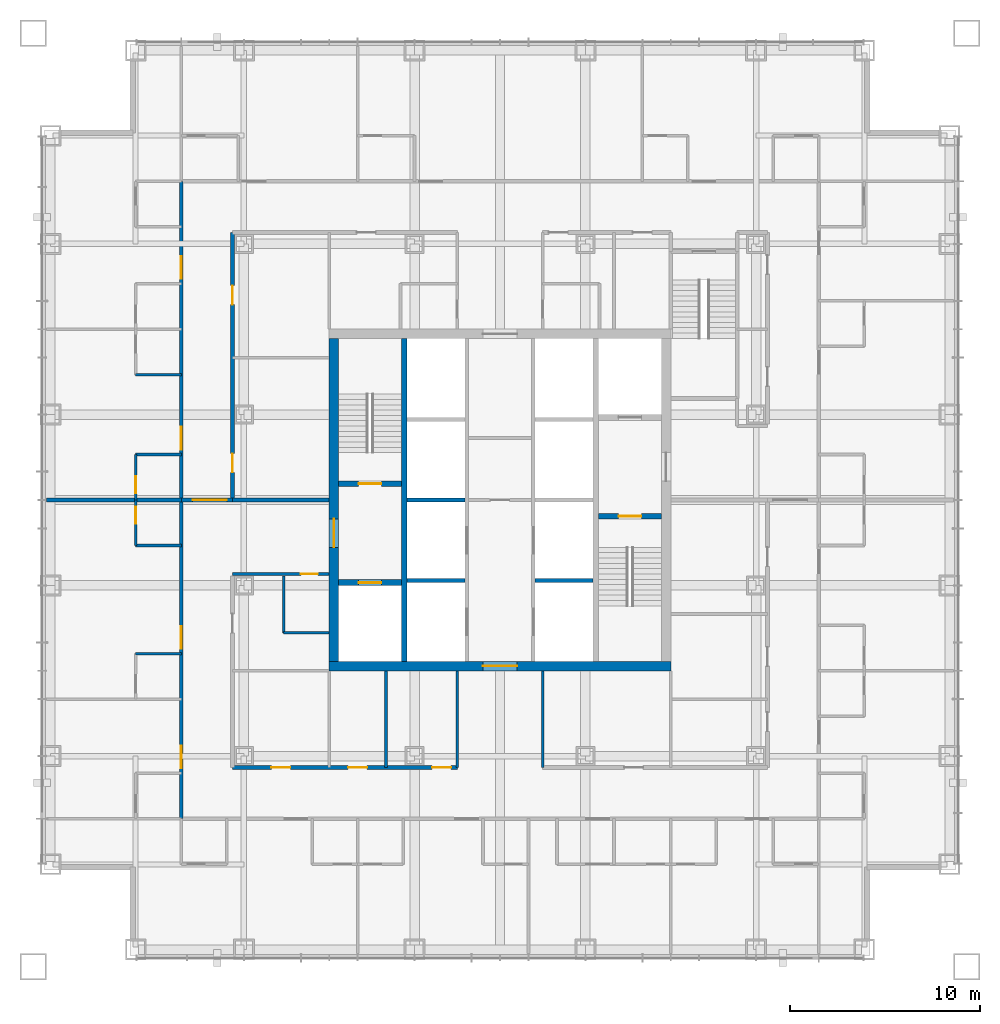
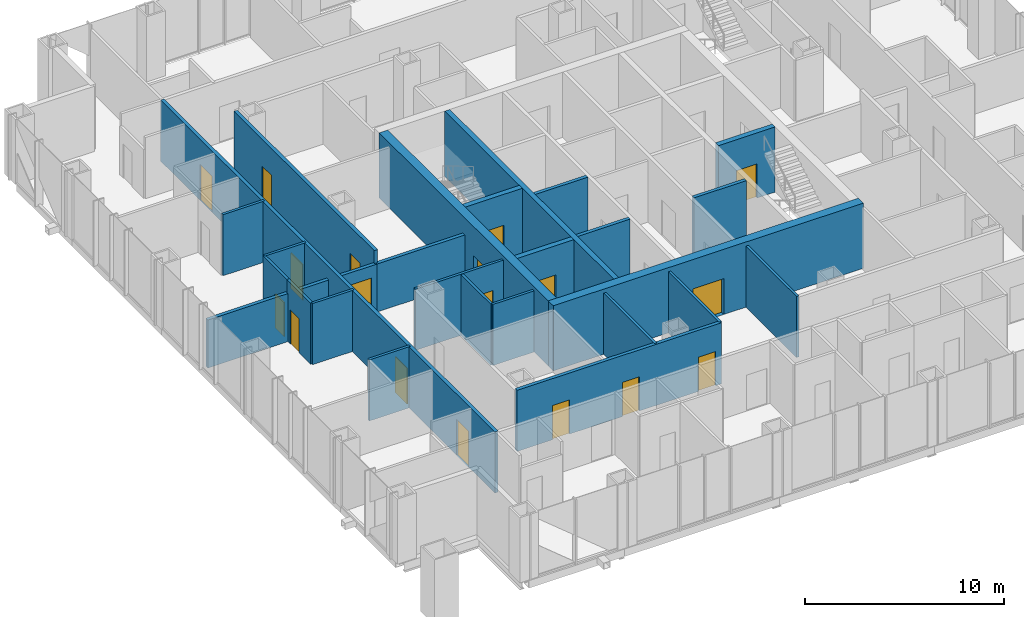
# One storey, part 9 of 18: 27 walls, 18 doors, 18 openings.
"""IFC4 building model written with IfcOpenShell, lengths in metres."""

from ifc_helpers import new_model, si_unit, direction, frame, frame_2d, origin, place, context, subcontext, project, spatial, rectangle, extrude, material, layer, layer_set, type_object, element, fill, save


model = new_model("IFC4")

# Units and contexts
model_context = context("Model", 3, precision=1e-05, world=origin(), true_north=direction((0.0, 1.0)))
body_context = subcontext(model_context, "Body", "Model", "MODEL_VIEW")
ifc_project = project(units=[si_unit("LENGTHUNIT", "METRE"), si_unit("AREAUNIT", "SQUARE_METRE"), si_unit("VOLUMEUNIT", "CUBIC_METRE"), si_unit("PLANEANGLEUNIT", "RADIAN"), si_unit("MASSUNIT", "GRAM", prefix="KILO")], contexts=[model_context])

# Site, building, storey
site_placement = place(None, origin())
site = spatial("IfcSite", under=ifc_project, at=site_placement, CompositionType="ELEMENT")
building_placement = place(site_placement, origin())
building = spatial("IfcBuilding", under=site, at=building_placement, Name="Malebo Sky Hospital", CompositionType="ELEMENT")
storey_placement = place(building_placement, frame((0.0, 0.0, 132.0)))
storey = spatial("IfcBuildingStorey", under=building, at=storey_placement, Name="L31", CompositionType="ELEMENT", Elevation=132.0)

# Walls
ifc_material_1 = material(Name="Concrete C80/95", Category="concrete")
ifc_layer_1 = layer(ifc_material_1, 0.199951171875)
ifc_layer_set_1 = layer_set([ifc_layer_1], Name="CORE INNER WALL 200")
wall_type_1 = type_object("IfcWallType", Name="CORE INNER WALL 200", PredefinedType="SHEAR", material=ifc_layer_set_1)
for number, where, z_axis, x_axis, name in (
    (1, (55.10009765625, 57.75, 0.0), (0.0, 0.0, 1.0), (1.0, 0.0, 0.0), "Core wall SW0 L31"),
    (2, (61.85009765625, 57.75, 0.0), (0.0, 0.0, 1.0), (1.0, 0.0, 0.0), "Core wall SE0 L31"),
    (3, (55.10009765625, 62.0, 0.0), (0.0, 0.0, 1.0), (1.0, 0.0, 0.0), "Core wall SW1 L31"),
):
    element("IfcWall", number, at=place(storey_placement, frame(where, z_axis=z_axis, x_axis=x_axis)), inside=storey, type_object=wall_type_1, Name=name, PredefinedType="SHEAR", context=body_context, shape_type="SweptSolid", body=[
        extrude(rectangle(XDim=3.0498046875, YDim=0.199951171875, at=frame_2d((1.52490234375, 0.0))), origin(), (0.0, 0.0, 1.0), 4.0),
    ])
ifc_layer_2 = layer(ifc_material_1, 0.300048828125)
ifc_layer_set_2 = layer_set([ifc_layer_2], Name="CORE INNER WALL 300")
wall_type_2 = type_object("IfcWallType", Name="CORE INNER WALL 300", PredefinedType="SHEAR", material=ifc_layer_set_2)
wall_1_placement = place(storey_placement, frame((54.949951171875, 53.5, 0.0), z_axis=(0.0, 0.0, 1.0), x_axis=(0.0, 1.0, 0.0)))
element("IfcWall", 4, at=wall_1_placement, inside=storey, type_object=wall_type_2, Name="Core wall XW L31", PredefinedType="SHEAR", context=body_context, shape_type="SweptSolid", body=[
    extrude(rectangle(XDim=17.0, YDim=0.300048828125, at=frame_2d((8.5, 0.0))), origin(), (0.0, 0.0, 1.0), 4.0),
])

# Wall, opening, door
wall_2_placement = place(storey_placement, frame((51.5, 62.85009765625, 0.0), z_axis=(0.0, 0.0, 1.0), x_axis=(1.0, 0.0, 0.0)))
wall_2 = element("IfcWall", 5, at=wall_2_placement, inside=storey, type_object=wall_type_2, Name="Core wall W1 L31", PredefinedType="SHEAR", context=body_context, shape_type="SweptSolid", body=[
    extrude(rectangle(XDim=3.300048828125, YDim=0.300048828125, at=frame_2d((1.64990234375, 0.0))), origin(), (0.0, 0.0, 1.0), 4.0),
])
opening_1_placement = place(wall_2_placement, frame((1.050048828125, 0.0, 0.0)))
opening_1 = element("IfcOpeningElement", 6, at=opening_1_placement, cuts=wall_2, Name="Opening D08", PredefinedType="OPENING", context=body_context, shape_type="SweptSolid", body=[
    extrude(rectangle(XDim=1.199951171875, YDim=2.10009765625, at=frame_2d((0.60009765625, 1.050048828125))), frame((0.0, 0.159912109375, 0.0), z_axis=(0.0, -1.0, 0.0), x_axis=(1.0, 0.0, 0.0)), (0.0, 0.0, 1.0), 0.320068359375),
])
ifc_material_2 = material(Name="Hardwood-faced door leaf in steel frame", Category="steel")
door_type_1 = type_object("IfcDoorType", Name="STAIR DOOR 1200", OperationType="SINGLE_SWING_LEFT", PredefinedType="DOOR", material=ifc_material_2)
door_1_placement = place(opening_1_placement, origin())
door_1 = element("IfcDoor", 7, at=door_1_placement, inside=storey, type_object=door_type_1, Name="Stair S1 door", OperationType="SINGLE_SWING_LEFT", OverallHeight=2.10009765625, OverallWidth=1.199951171875, PredefinedType="DOOR", context=body_context, shape_type="SweptSolid", body=[
    extrude(rectangle(XDim=1.199951171875, YDim=2.10009765625, at=frame_2d((0.60009765625, 1.050048828125))), frame((0.0, 0.02490234375, 0.0), z_axis=(0.0, -1.0, 0.0), x_axis=(1.0, 0.0, 0.0)), (0.0, 0.0, 1.0), 0.050048828125),
])
fill(opening_1, door_1)

wall_3_placement = place(storey_placement, frame((51.5, 57.64990234375, 0.0), z_axis=(0.0, 0.0, 1.0), x_axis=(1.0, 0.0, 0.0)))
wall_3 = element("IfcWall", 8, at=wall_3_placement, inside=storey, type_object=wall_type_2, Name="Core wall W2 L31", PredefinedType="SHEAR", context=body_context, shape_type="SweptSolid", body=[
    extrude(rectangle(XDim=3.300048828125, YDim=0.300048828125, at=frame_2d((1.64990234375, 0.0))), origin(), (0.0, 0.0, 1.0), 4.0),
])
opening_2_placement = place(wall_3_placement, frame((1.050048828125, 0.0, 0.0)))
opening_2 = element("IfcOpeningElement", 9, at=opening_2_placement, cuts=wall_3, Name="Opening LD2", PredefinedType="OPENING", context=body_context, shape_type="SweptSolid", body=[
    extrude(rectangle(XDim=1.199951171875, YDim=2.199951171875, at=frame_2d((0.60009765625, 1.10009765625))), frame((0.0, 0.159912109375, 0.0), z_axis=(0.0, -1.0, 0.0), x_axis=(1.0, 0.0, 0.0)), (0.0, 0.0, 1.0), 0.320068359375),
])
ifc_material_3 = material(Name="Stainless steel sliding landing door", Category="steel")
door_type_2 = type_object("IfcDoorType", Name="FIRE-FIGHTING LIFT LANDING DOOR 1200", OperationType="SLIDING_TO_LEFT", PredefinedType="DOOR", material=ifc_material_3)
door_2_placement = place(opening_2_placement, origin())
door_2 = element("IfcDoor", 10, at=door_2_placement, inside=storey, type_object=door_type_2, Name="Lift FL1 landing door", OperationType="SLIDING_TO_LEFT", OverallHeight=2.199951171875, OverallWidth=1.199951171875, PredefinedType="DOOR", context=body_context, shape_type="SweptSolid", body=[
    extrude(rectangle(XDim=1.199951171875, YDim=2.199951171875, at=frame_2d((0.60009765625, 1.10009765625))), frame((0.0, 0.02490234375, 0.0), z_axis=(0.0, -1.0, 0.0), x_axis=(1.0, 0.0, 0.0)), (0.0, 0.0, 1.0), 0.050048828125),
])
fill(opening_2, door_2)

wall_4_placement = place(storey_placement, frame((65.199951171875, 61.14990234375, 0.0), z_axis=(0.0, 0.0, 1.0), x_axis=(1.0, 0.0, 0.0)))
wall_4 = element("IfcWall", 11, at=wall_4_placement, inside=storey, type_object=wall_type_2, Name="Core wall E1 L31", PredefinedType="SHEAR", context=body_context, shape_type="SweptSolid", body=[
    extrude(rectangle(XDim=3.300048828125, YDim=0.300048828125, at=frame_2d((1.64990234375, 0.0))), origin(), (0.0, 0.0, 1.0), 4.0),
])
opening_3_placement = place(wall_4_placement, frame((1.050048828125, 0.0, 0.0)))
opening_3 = element("IfcOpeningElement", 12, at=opening_3_placement, cuts=wall_4, Name="Opening D08", PredefinedType="OPENING", context=body_context, shape_type="SweptSolid", body=[
    extrude(rectangle(XDim=1.199951171875, YDim=2.10009765625, at=frame_2d((0.60009765625, 1.050048828125))), frame((0.0, 0.159912109375, 0.0), z_axis=(0.0, -1.0, 0.0), x_axis=(1.0, 0.0, 0.0)), (0.0, 0.0, 1.0), 0.320068359375),
])
door_3_placement = place(opening_3_placement, origin())
door_3 = element("IfcDoor", 13, at=door_3_placement, inside=storey, type_object=door_type_1, Name="Stair S2 door", OperationType="SINGLE_SWING_LEFT", OverallHeight=2.10009765625, OverallWidth=1.199951171875, PredefinedType="DOOR", context=body_context, shape_type="SweptSolid", body=[
    extrude(rectangle(XDim=1.199951171875, YDim=2.10009765625, at=frame_2d((0.60009765625, 1.050048828125))), frame((0.0, 0.02490234375, 0.0), z_axis=(0.0, -1.0, 0.0), x_axis=(1.0, 0.0, 0.0)), (0.0, 0.0, 1.0), 0.050048828125),
])
fill(opening_3, door_3)

ifc_layer_3 = layer(ifc_material_1, 0.5)
ifc_layer_set_3 = layer_set([ifc_layer_3], Name="CORE WALL 500")
wall_type_3 = type_object("IfcWallType", Name="CORE WALL 500", PredefinedType="SHEAR", material=ifc_layer_set_3)
wall_5_placement = place(storey_placement, frame((51.0, 53.25, 0.0), z_axis=(0.0, 0.0, 1.0), x_axis=(1.0, 0.0, 0.0)))
wall_5 = element("IfcWall", 14, at=wall_5_placement, inside=storey, type_object=wall_type_3, Name="Core wall S L31", PredefinedType="SHEAR", context=body_context, shape_type="SweptSolid", body=[
    extrude(rectangle(XDim=18.0, YDim=0.5, at=frame_2d((9.0, 0.0))), origin(), (0.0, 0.0, 1.0), 4.0),
])
opening_4_placement = place(wall_5_placement, frame((8.10009765625, 0.0, 0.0)))
opening_4 = element("IfcOpeningElement", 15, at=opening_4_placement, cuts=wall_5, Name="Opening D06", PredefinedType="OPENING", context=body_context, shape_type="SweptSolid", body=[
    extrude(rectangle(XDim=1.800048828125, YDim=2.199951171875, at=frame_2d((0.89990234375, 1.10009765625))), frame((0.0, 0.260009765625, 0.0), z_axis=(0.0, -1.0, 0.0), x_axis=(1.0, 0.0, 0.0)), (0.0, 0.0, 1.0), 0.52001953125),
])
door_type_3 = type_object("IfcDoorType", Name="LOBBY DOOR PAIR 1800", OperationType="DOUBLE_DOOR_SINGLE_SWING", PredefinedType="DOOR", material=ifc_material_2)
door_4_placement = place(opening_4_placement, origin())
door_4 = element("IfcDoor", 16, at=door_4_placement, inside=storey, type_object=door_type_3, Name="Lift lobby door south", OperationType="DOUBLE_DOOR_SINGLE_SWING", OverallHeight=2.199951171875, OverallWidth=1.800048828125, PredefinedType="DOOR", context=body_context, shape_type="SweptSolid", body=[
    extrude(rectangle(XDim=1.800048828125, YDim=2.199951171875, at=frame_2d((0.89990234375, 1.10009765625))), frame((0.0, 0.02490234375, 0.0), z_axis=(0.0, -1.0, 0.0), x_axis=(1.0, 0.0, 0.0)), (0.0, 0.0, 1.0), 0.050048828125),
])
fill(opening_4, door_4)

wall_6_placement = place(storey_placement, frame((51.25, 53.5, 0.0), z_axis=(0.0, 0.0, 1.0), x_axis=(0.0, 1.0, 0.0)))
wall_6 = element("IfcWall", 17, at=wall_6_placement, inside=storey, type_object=wall_type_3, Name="Core wall W L31", PredefinedType="SHEAR", context=body_context, shape_type="SweptSolid", body=[
    extrude(rectangle(XDim=17.0, YDim=0.5, at=frame_2d((8.5, 0.0))), origin(), (0.0, 0.0, 1.0), 4.0),
])
opening_5_placement = place(wall_6_placement, frame((6.0, 0.0, 0.0)))
opening_5 = element("IfcOpeningElement", 18, at=opening_5_placement, cuts=wall_6, Name="Opening D07", PredefinedType="OPENING", context=body_context, shape_type="SweptSolid", body=[
    extrude(rectangle(XDim=1.5, YDim=2.199951171875, at=frame_2d((0.75, 1.10009765625))), frame((0.0, 0.260009765625, 0.0), z_axis=(0.0, -1.0, 0.0), x_axis=(1.0, 0.0, 0.0)), (0.0, 0.0, 1.0), 0.52001953125),
])
door_type_4 = type_object("IfcDoorType", Name="FIRE-FIGHTING LOBBY DOOR PAIR 1500", OperationType="DOUBLE_DOOR_SINGLE_SWING", PredefinedType="DOOR", material=ifc_material_2)
door_5_placement = place(opening_5_placement, origin())
door_5 = element("IfcDoor", 19, at=door_5_placement, inside=storey, type_object=door_type_4, Name="Fire-fighting lobby door west", OperationType="DOUBLE_DOOR_SINGLE_SWING", OverallHeight=2.199951171875, OverallWidth=1.5, PredefinedType="DOOR", context=body_context, shape_type="SweptSolid", body=[
    extrude(rectangle(XDim=1.5, YDim=2.199951171875, at=frame_2d((0.75, 1.10009765625))), frame((0.0, 0.02490234375, 0.0), z_axis=(0.0, -1.0, 0.0), x_axis=(1.0, 0.0, 0.0)), (0.0, 0.0, 1.0), 0.050048828125),
])
fill(opening_5, door_5)

# Wall, openings, doors
ifc_material_4 = material(Name="Gypsum board on steel studs", Category="steel")
ifc_layer_4 = layer(ifc_material_4, 0.199951171875)
ifc_layer_set_4 = layer_set([ifc_layer_4], Name="CORRIDOR WALL 200")
wall_type_4 = type_object("IfcWallType", Name="CORRIDOR WALL 200", PredefinedType="PARTITIONING", material=ifc_layer_set_4)
wall_7_placement = place(storey_placement, frame((43.199951171875, 45.199951171875, 0.0), z_axis=(0.0, 0.0, 1.0), x_axis=(0.0, 1.0, 0.0)))
wall_7 = element("IfcWall", 20, at=wall_7_placement, inside=storey, type_object=wall_type_4, Name="Corridor Wall 200 WCO", PredefinedType="PARTITIONING", context=body_context, shape_type="SweptSolid", body=[
    extrude(rectangle(XDim=33.60009765625, YDim=0.199951171875, at=frame_2d((16.800048828125, 0.0))), origin(), (0.0, 0.0, 1.0), 3.75),
])
opening_6_placement = place(wall_7_placement, frame((2.64990234375, 0.0, 0.0)))
opening_6 = element("IfcOpeningElement", 21, at=opening_6_placement, cuts=wall_7, Name="Opening D01", PredefinedType="OPENING", context=body_context, shape_type="SweptSolid", body=[
    extrude(rectangle(XDim=1.199951171875, YDim=2.199951171875, at=frame_2d((0.60009765625, 1.10009765625))), frame((0.0, 0.10986328125, 0.0), z_axis=(0.0, -1.0, 0.0), x_axis=(1.0, 0.0, 0.0)), (0.0, 0.0, 1.0), 0.219970703125),
])
opening_7_placement = place(wall_7_placement, frame((8.949951171875, 0.0, 0.0)))
opening_7 = element("IfcOpeningElement", 22, at=opening_7_placement, cuts=wall_7, Name="Opening D01", PredefinedType="OPENING", context=body_context, shape_type="SweptSolid", body=[
    extrude(rectangle(XDim=1.199951171875, YDim=2.199951171875, at=frame_2d((0.60009765625, 1.10009765625))), frame((0.0, 0.10986328125, 0.0), z_axis=(0.0, -1.0, 0.0), x_axis=(1.0, 0.0, 0.0)), (0.0, 0.0, 1.0), 0.219970703125),
])
opening_8_placement = place(wall_7_placement, frame((19.449951171875, 0.0, 0.0)))
opening_8 = element("IfcOpeningElement", 23, at=opening_8_placement, cuts=wall_7, Name="Opening D01", PredefinedType="OPENING", context=body_context, shape_type="SweptSolid", body=[
    extrude(rectangle(XDim=1.199951171875, YDim=2.199951171875, at=frame_2d((0.60009765625, 1.10009765625))), frame((0.0, 0.10986328125, 0.0), z_axis=(0.0, -1.0, 0.0), x_axis=(1.0, 0.0, 0.0)), (0.0, 0.0, 1.0), 0.219970703125),
])
opening_9_placement = place(wall_7_placement, frame((28.449951171875, 0.0, 0.0)))
opening_9 = element("IfcOpeningElement", 24, at=opening_9_placement, cuts=wall_7, Name="Opening D01", PredefinedType="OPENING", context=body_context, shape_type="SweptSolid", body=[
    extrude(rectangle(XDim=1.199951171875, YDim=2.199951171875, at=frame_2d((0.60009765625, 1.10009765625))), frame((0.0, 0.10986328125, 0.0), z_axis=(0.0, -1.0, 0.0), x_axis=(1.0, 0.0, 0.0)), (0.0, 0.0, 1.0), 0.219970703125),
])
door_type_5 = type_object("IfcDoorType", Name="BED DOOR 1200", OperationType="SINGLE_SWING_LEFT", PredefinedType="DOOR", material=ifc_material_2)
door_6_placement = place(opening_6_placement, origin())
door_6 = element("IfcDoor", 25, at=door_6_placement, inside=storey, type_object=door_type_5, Name="Single bed room door", OperationType="SINGLE_SWING_LEFT", OverallHeight=2.199951171875, OverallWidth=1.199951171875, PredefinedType="DOOR", context=body_context, shape_type="SweptSolid", body=[
    extrude(rectangle(XDim=1.199951171875, YDim=2.199951171875, at=frame_2d((0.60009765625, 1.10009765625))), frame((0.0, 0.02490234375, 0.0), z_axis=(0.0, -1.0, 0.0), x_axis=(1.0, 0.0, 0.0)), (0.0, 0.0, 1.0), 0.050048828125),
])
fill(opening_6, door_6)
door_7_placement = place(opening_7_placement, origin())
door_7 = element("IfcDoor", 26, at=door_7_placement, inside=storey, type_object=door_type_5, Name="Four-bed bay door", OperationType="SINGLE_SWING_LEFT", OverallHeight=2.199951171875, OverallWidth=1.199951171875, PredefinedType="DOOR", context=body_context, shape_type="SweptSolid", body=[
    extrude(rectangle(XDim=1.199951171875, YDim=2.199951171875, at=frame_2d((0.60009765625, 1.10009765625))), frame((0.0, 0.02490234375, 0.0), z_axis=(0.0, -1.0, 0.0), x_axis=(1.0, 0.0, 0.0)), (0.0, 0.0, 1.0), 0.050048828125),
])
fill(opening_7, door_7)
door_8_placement = place(opening_8_placement, origin())
door_8 = element("IfcDoor", 27, at=door_8_placement, inside=storey, type_object=door_type_5, Name="Four-bed bay door", OperationType="SINGLE_SWING_LEFT", OverallHeight=2.199951171875, OverallWidth=1.199951171875, PredefinedType="DOOR", context=body_context, shape_type="SweptSolid", body=[
    extrude(rectangle(XDim=1.199951171875, YDim=2.199951171875, at=frame_2d((0.60009765625, 1.10009765625))), frame((0.0, 0.02490234375, 0.0), z_axis=(0.0, -1.0, 0.0), x_axis=(1.0, 0.0, 0.0)), (0.0, 0.0, 1.0), 0.050048828125),
])
fill(opening_8, door_8)
door_9_placement = place(opening_9_placement, origin())
door_9 = element("IfcDoor", 28, at=door_9_placement, inside=storey, type_object=door_type_5, Name="Four-bed bay door", OperationType="SINGLE_SWING_LEFT", OverallHeight=2.199951171875, OverallWidth=1.199951171875, PredefinedType="DOOR", context=body_context, shape_type="SweptSolid", body=[
    extrude(rectangle(XDim=1.199951171875, YDim=2.199951171875, at=frame_2d((0.60009765625, 1.10009765625))), frame((0.0, 0.02490234375, 0.0), z_axis=(0.0, -1.0, 0.0), x_axis=(1.0, 0.0, 0.0)), (0.0, 0.0, 1.0), 0.050048828125),
])
fill(opening_9, door_9)

wall_8_placement = place(storey_placement, frame((45.89990234375, 62.0, 0.0), z_axis=(0.0, 0.0, 1.0), x_axis=(0.0, 1.0, 0.0)))
wall_8 = element("IfcWall", 29, at=wall_8_placement, inside=storey, type_object=wall_type_4, Name="Corridor Wall 200 WCI2", PredefinedType="PARTITIONING", context=body_context, shape_type="SweptSolid", body=[
    extrude(rectangle(XDim=14.10009765625, YDim=0.199951171875, at=frame_2d((7.050048828125, 0.0))), origin(), (0.0, 0.0, 1.0), 3.75),
])
opening_10_placement = place(wall_8_placement, frame((1.449951171875, 0.0, 0.0)))
opening_10 = element("IfcOpeningElement", 30, at=opening_10_placement, cuts=wall_8, Name="Opening D03", PredefinedType="OPENING", context=body_context, shape_type="SweptSolid", body=[
    extrude(rectangle(XDim=1.0, YDim=2.10009765625, at=frame_2d((0.5, 1.050048828125))), frame((0.0, 0.10986328125, 0.0), z_axis=(0.0, -1.0, 0.0), x_axis=(1.0, 0.0, 0.0)), (0.0, 0.0, 1.0), 0.219970703125),
])
opening_11_placement = place(wall_8_placement, frame((10.300048828125, 0.0, 0.0)))
opening_11 = element("IfcOpeningElement", 31, at=opening_11_placement, cuts=wall_8, Name="Opening D03", PredefinedType="OPENING", context=body_context, shape_type="SweptSolid", body=[
    extrude(rectangle(XDim=1.0, YDim=2.10009765625, at=frame_2d((0.5, 1.050048828125))), frame((0.0, 0.10986328125, 0.0), z_axis=(0.0, -1.0, 0.0), x_axis=(1.0, 0.0, 0.0)), (0.0, 0.0, 1.0), 0.219970703125),
])
door_type_6 = type_object("IfcDoorType", Name="ROOM DOOR 1000", OperationType="SINGLE_SWING_LEFT", PredefinedType="DOOR", material=ifc_material_2)
door_10_placement = place(opening_10_placement, origin())
door_10 = element("IfcDoor", 32, at=door_10_placement, inside=storey, type_object=door_type_6, Name="Nurse station door", OperationType="SINGLE_SWING_LEFT", OverallHeight=2.10009765625, OverallWidth=1.0, PredefinedType="DOOR", context=body_context, shape_type="SweptSolid", body=[
    extrude(rectangle(XDim=1.0, YDim=2.10009765625, at=frame_2d((0.5, 1.050048828125))), frame((0.0, 0.02490234375, 0.0), z_axis=(0.0, -1.0, 0.0), x_axis=(1.0, 0.0, 0.0)), (0.0, 0.0, 1.0), 0.050048828125),
])
fill(opening_10, door_10)
door_11_placement = place(opening_11_placement, origin())
door_11 = element("IfcDoor", 33, at=door_11_placement, inside=storey, type_object=door_type_6, Name="Treatment room door", OperationType="SINGLE_SWING_RIGHT", OverallHeight=2.10009765625, OverallWidth=1.0, PredefinedType="DOOR", context=body_context, shape_type="SweptSolid", body=[
    extrude(rectangle(XDim=1.0, YDim=2.10009765625, at=frame_2d((0.5, 1.050048828125))), frame((0.0, 0.02490234375, 0.0), z_axis=(0.0, -1.0, 0.0), x_axis=(1.0, 0.0, 0.0)), (0.0, 0.0, 1.0), 0.050048828125),
])
fill(opening_11, door_11)

wall_9_placement = place(storey_placement, frame((57.75, 47.89990234375, 0.0), z_axis=(0.0, 0.0, 1.0), x_axis=(-1.0, 0.0, 0.0)))
wall_9 = element("IfcWall", 34, at=wall_9_placement, inside=storey, type_object=wall_type_4, Name="Corridor Wall 200 SCI2", PredefinedType="PARTITIONING", context=body_context, shape_type="SweptSolid", body=[
    extrude(rectangle(XDim=11.85009765625, YDim=0.199951171875, at=frame_2d((5.925048828125, 0.0))), origin(), (0.0, 0.0, 1.0), 3.75),
])
opening_12_placement = place(wall_9_placement, frame((0.324951171875, 0.0, 0.0)))
opening_12 = element("IfcOpeningElement", 35, at=opening_12_placement, cuts=wall_9, Name="Opening D03", PredefinedType="OPENING", context=body_context, shape_type="SweptSolid", body=[
    extrude(rectangle(XDim=1.0, YDim=2.10009765625, at=frame_2d((0.5, 1.050048828125))), frame((0.0, 0.10986328125, 0.0), z_axis=(0.0, -1.0, 0.0), x_axis=(1.0, 0.0, 0.0)), (0.0, 0.0, 1.0), 0.219970703125),
])
opening_13_placement = place(wall_9_placement, frame((4.75, 0.0, 0.0)))
opening_13 = element("IfcOpeningElement", 36, at=opening_13_placement, cuts=wall_9, Name="Opening D03", PredefinedType="OPENING", context=body_context, shape_type="SweptSolid", body=[
    extrude(rectangle(XDim=1.0, YDim=2.10009765625, at=frame_2d((0.5, 1.050048828125))), frame((0.0, 0.10986328125, 0.0), z_axis=(0.0, -1.0, 0.0), x_axis=(1.0, 0.0, 0.0)), (0.0, 0.0, 1.0), 0.219970703125),
])
opening_14_placement = place(wall_9_placement, frame((8.800048828125, 0.0, 0.0)))
opening_14 = element("IfcOpeningElement", 37, at=opening_14_placement, cuts=wall_9, Name="Opening D03", PredefinedType="OPENING", context=body_context, shape_type="SweptSolid", body=[
    extrude(rectangle(XDim=1.0, YDim=2.10009765625, at=frame_2d((0.5, 1.050048828125))), frame((0.0, 0.10986328125, 0.0), z_axis=(0.0, -1.0, 0.0), x_axis=(1.0, 0.0, 0.0)), (0.0, 0.0, 1.0), 0.219970703125),
])
door_12_placement = place(opening_12_placement, origin())
door_12 = element("IfcDoor", 38, at=door_12_placement, inside=storey, type_object=door_type_6, Name="Clean utility room door", OperationType="SINGLE_SWING_LEFT", OverallHeight=2.10009765625, OverallWidth=1.0, PredefinedType="DOOR", context=body_context, shape_type="SweptSolid", body=[
    extrude(rectangle(XDim=1.0, YDim=2.10009765625, at=frame_2d((0.5, 1.050048828125))), frame((0.0, 0.02490234375, 0.0), z_axis=(0.0, -1.0, 0.0), x_axis=(1.0, 0.0, 0.0)), (0.0, 0.0, 1.0), 0.050048828125),
])
fill(opening_12, door_12)
door_13_placement = place(opening_13_placement, origin())
door_13 = element("IfcDoor", 39, at=door_13_placement, inside=storey, type_object=door_type_6, Name="Medication room door", OperationType="SINGLE_SWING_LEFT", OverallHeight=2.10009765625, OverallWidth=1.0, PredefinedType="DOOR", context=body_context, shape_type="SweptSolid", body=[
    extrude(rectangle(XDim=1.0, YDim=2.10009765625, at=frame_2d((0.5, 1.050048828125))), frame((0.0, 0.02490234375, 0.0), z_axis=(0.0, -1.0, 0.0), x_axis=(1.0, 0.0, 0.0)), (0.0, 0.0, 1.0), 0.050048828125),
])
fill(opening_13, door_13)
door_14_placement = place(opening_14_placement, origin())
door_14 = element("IfcDoor", 40, at=door_14_placement, inside=storey, type_object=door_type_6, Name="Vascular access clinic room door", OperationType="SINGLE_SWING_RIGHT", OverallHeight=2.10009765625, OverallWidth=1.0, PredefinedType="DOOR", context=body_context, shape_type="SweptSolid", body=[
    extrude(rectangle(XDim=1.0, YDim=2.10009765625, at=frame_2d((0.5, 1.050048828125))), frame((0.0, 0.02490234375, 0.0), z_axis=(0.0, -1.0, 0.0), x_axis=(1.0, 0.0, 0.0)), (0.0, 0.0, 1.0), 0.050048828125),
])
fill(opening_14, door_14)

# Wall
ifc_layer_5 = layer(ifc_material_4, 0.14990234375)
ifc_layer_set_5 = layer_set([ifc_layer_5], Name="PARTITION 150")
wall_type_5 = type_object("IfcWallType", Name="PARTITION 150", PredefinedType="PARTITIONING", material=ifc_layer_set_5)
wall_10_placement = place(storey_placement, frame((43.199951171875, 53.89990234375, 0.0), z_axis=(0.0, 0.0, 1.0), x_axis=(-1.0, 0.0, 0.0)))
element("IfcWall", 41, at=wall_10_placement, inside=storey, type_object=wall_type_5, Name="Partition 150 WE1S", PredefinedType="PARTITIONING", context=body_context, shape_type="SweptSolid", body=[
    extrude(rectangle(XDim=2.39990234375, YDim=0.14990234375, at=frame_2d((1.199951171875, 0.0))), origin(), (0.0, 0.0, 1.0), 3.75),
])

# Wall, opening, door
wall_11_placement = place(storey_placement, frame((40.800048828125, 59.60009765625, 0.0), z_axis=(0.0, 0.0, 1.0), x_axis=(0.0, 1.0, 0.0)))
wall_11 = element("IfcWall", 42, at=wall_11_placement, inside=storey, type_object=wall_type_5, Name="Partition 150 WG1F", PredefinedType="PARTITIONING", context=body_context, shape_type="SweptSolid", body=[
    extrude(rectangle(XDim=2.39990234375, YDim=0.14990234375, at=frame_2d((1.199951171875, 0.0))), origin(), (0.0, 0.0, 1.0), 3.75),
])
opening_15_placement = place(wall_11_placement, frame((1.14990234375, 0.0, 0.0)))
opening_15 = element("IfcOpeningElement", 43, at=opening_15_placement, cuts=wall_11, Name="Opening D02", PredefinedType="OPENING", context=body_context, shape_type="SweptSolid", body=[
    extrude(rectangle(XDim=0.89990234375, YDim=2.10009765625, at=frame_2d((0.449951171875, 1.050048828125))), frame((0.0, 0.0849609375, 0.0), z_axis=(0.0, -1.0, 0.0), x_axis=(1.0, 0.0, 0.0)), (0.0, 0.0, 1.0), 0.169921875),
])
door_type_7 = type_object("IfcDoorType", Name="EN-SUITE DOOR 900", OperationType="SINGLE_SWING_LEFT", PredefinedType="DOOR", material=ifc_material_2)
door_15_placement = place(opening_15_placement, origin())
door_15 = element("IfcDoor", 44, at=door_15_placement, inside=storey, type_object=door_type_7, Name="En-suite door", OperationType="SINGLE_SWING_RIGHT", OverallHeight=2.10009765625, OverallWidth=0.89990234375, PredefinedType="DOOR", context=body_context, shape_type="SweptSolid", body=[
    extrude(rectangle(XDim=0.89990234375, YDim=2.10009765625, at=frame_2d((0.449951171875, 1.050048828125))), frame((0.0, 0.02490234375, 0.0), z_axis=(0.0, -1.0, 0.0), x_axis=(1.0, 0.0, 0.0)), (0.0, 0.0, 1.0), 0.050048828125),
])
fill(opening_15, door_15)

# Wall
wall_12_placement = place(storey_placement, frame((43.199951171875, 59.60009765625, 0.0), z_axis=(0.0, 0.0, 1.0), x_axis=(-1.0, 0.0, 0.0)))
element("IfcWall", 45, at=wall_12_placement, inside=storey, type_object=wall_type_5, Name="Partition 150 WG1S", PredefinedType="PARTITIONING", context=body_context, shape_type="SweptSolid", body=[
    extrude(rectangle(XDim=2.39990234375, YDim=0.14990234375, at=frame_2d((1.199951171875, 0.0))), origin(), (0.0, 0.0, 1.0), 3.75),
])

# Wall, opening, door
wall_13_placement = place(storey_placement, frame((40.800048828125, 62.0, 0.0), z_axis=(0.0, 0.0, 1.0), x_axis=(0.0, 1.0, 0.0)))
wall_13 = element("IfcWall", 46, at=wall_13_placement, inside=storey, type_object=wall_type_5, Name="Partition 150 WE2F", PredefinedType="PARTITIONING", context=body_context, shape_type="SweptSolid", body=[
    extrude(rectangle(XDim=2.39990234375, YDim=0.14990234375, at=frame_2d((1.199951171875, 0.0))), origin(), (0.0, 0.0, 1.0), 3.75),
])
opening_16_placement = place(wall_13_placement, frame((0.35009765625, 0.0, 0.0)))
opening_16 = element("IfcOpeningElement", 47, at=opening_16_placement, cuts=wall_13, Name="Opening D02", PredefinedType="OPENING", context=body_context, shape_type="SweptSolid", body=[
    extrude(rectangle(XDim=0.89990234375, YDim=2.10009765625, at=frame_2d((0.449951171875, 1.050048828125))), frame((0.0, 0.0849609375, 0.0), z_axis=(0.0, -1.0, 0.0), x_axis=(1.0, 0.0, 0.0)), (0.0, 0.0, 1.0), 0.169921875),
])
door_16_placement = place(opening_16_placement, origin())
door_16 = element("IfcDoor", 48, at=door_16_placement, inside=storey, type_object=door_type_7, Name="En-suite door", OperationType="SINGLE_SWING_LEFT", OverallHeight=2.10009765625, OverallWidth=0.89990234375, PredefinedType="DOOR", context=body_context, shape_type="SweptSolid", body=[
    extrude(rectangle(XDim=0.89990234375, YDim=2.10009765625, at=frame_2d((0.449951171875, 1.050048828125))), frame((0.0, 0.02490234375, 0.0), z_axis=(0.0, -1.0, 0.0), x_axis=(1.0, 0.0, 0.0)), (0.0, 0.0, 1.0), 0.050048828125),
])
fill(opening_16, door_16)

# Walls
for number, where, z_axis, x_axis, name in (
    (49, (43.199951171875, 64.39990234375, 0.0), (0.0, 0.0, 1.0), (-1.0, 0.0, 0.0), "Partition 150 WE2S"),
    (50, (43.199951171875, 68.60009765625, 0.0), (0.0, 0.0, 1.0), (-1.0, 0.0, 0.0), "Partition 150 WG2S"),
):
    element("IfcWall", number, at=place(storey_placement, frame(where, z_axis=z_axis, x_axis=x_axis)), inside=storey, type_object=wall_type_5, Name=name, PredefinedType="PARTITIONING", context=body_context, shape_type="SweptSolid", body=[
        extrude(rectangle(XDim=2.39990234375, YDim=0.14990234375, at=frame_2d((1.199951171875, 0.0))), origin(), (0.0, 0.0, 1.0), 3.75),
    ])

# Wall, opening, door
wall_14_placement = place(storey_placement, frame((51.0, 58.10009765625, 0.0), z_axis=(0.0, 0.0, 1.0), x_axis=(-1.0, 0.0, 0.0)))
wall_14 = element("IfcWall", 51, at=wall_14_placement, inside=storey, type_object=wall_type_5, Name="Partition 150 WSPA", PredefinedType="PARTITIONING", context=body_context, shape_type="SweptSolid", body=[
    extrude(rectangle(XDim=5.10009765625, YDim=0.14990234375, at=frame_2d((2.550048828125, 0.0))), origin(), (0.0, 0.0, 1.0), 3.75),
])
opening_17_placement = place(wall_14_placement, frame((0.60009765625, 0.0, 0.0)))
opening_17 = element("IfcOpeningElement", 52, at=opening_17_placement, cuts=wall_14, Name="Opening D04", PredefinedType="OPENING", context=body_context, shape_type="SweptSolid", body=[
    extrude(rectangle(XDim=0.89990234375, YDim=2.10009765625, at=frame_2d((0.449951171875, 1.050048828125))), frame((0.0, 0.0849609375, 0.0), z_axis=(0.0, -1.0, 0.0), x_axis=(1.0, 0.0, 0.0)), (0.0, 0.0, 1.0), 0.169921875),
])
door_type_8 = type_object("IfcDoorType", Name="ROOM DOOR 900", OperationType="SINGLE_SWING_LEFT", PredefinedType="DOOR", material=ifc_material_2)
door_17_placement = place(opening_17_placement, origin())
door_17 = element("IfcDoor", 53, at=door_17_placement, inside=storey, type_object=door_type_8, Name="Cleaner's room door", OperationType="SINGLE_SWING_LEFT", OverallHeight=2.10009765625, OverallWidth=0.89990234375, PredefinedType="DOOR", context=body_context, shape_type="SweptSolid", body=[
    extrude(rectangle(XDim=0.89990234375, YDim=2.10009765625, at=frame_2d((0.449951171875, 1.050048828125))), frame((0.0, 0.02490234375, 0.0), z_axis=(0.0, -1.0, 0.0), x_axis=(1.0, 0.0, 0.0)), (0.0, 0.0, 1.0), 0.050048828125),
])
fill(opening_17, door_17)

# Walls
wall_15_placement = place(storey_placement, frame((48.60009765625, 55.0, 0.0), z_axis=(0.0, 0.0, 1.0), x_axis=(0.0, 1.0, 0.0)))
element("IfcWall", 54, at=wall_15_placement, inside=storey, type_object=wall_type_5, Name="Partition 150 WSX0", PredefinedType="PARTITIONING", context=body_context, shape_type="SweptSolid", body=[
    extrude(rectangle(XDim=3.0, YDim=0.14990234375, at=frame_2d((1.5, 0.0))), origin(), (0.0, 0.0, 1.0), 3.75),
])
wall_16_placement = place(storey_placement, frame((51.0, 55.0, 0.0), z_axis=(0.0, 0.0, 1.0), x_axis=(-1.0, 0.0, 0.0)))
element("IfcWall", 55, at=wall_16_placement, inside=storey, type_object=wall_type_5, Name="Partition 150 WSY0", PredefinedType="PARTITIONING", context=body_context, shape_type="SweptSolid", body=[
    extrude(rectangle(XDim=2.39990234375, YDim=0.14990234375, at=frame_2d((1.199951171875, 0.0))), origin(), (0.0, 0.0, 1.0), 3.75),
])
for number, where, z_axis, x_axis, name in (
    (56, (62.25, 53.0, 0.0), (0.0, 0.0, 1.0), (0.0, -1.0, 0.0), "Partition 150 SSPA"),
    (57, (57.75, 53.0, 0.0), (0.0, 0.0, 1.0), (0.0, -1.0, 0.0), "Partition 150 SSPB"),
    (58, (54.0, 53.0, 0.0), (0.0, 0.0, 1.0), (0.0, -1.0, 0.0), "Partition 150 SSP+6.0"),
):
    element("IfcWall", number, at=place(storey_placement, frame(where, z_axis=z_axis, x_axis=x_axis)), inside=storey, type_object=wall_type_5, Name=name, PredefinedType="PARTITIONING", context=body_context, shape_type="SweptSolid", body=[
        extrude(rectangle(XDim=5.10009765625, YDim=0.14990234375, at=frame_2d((2.550048828125, 0.0))), origin(), (0.0, 0.0, 1.0), 3.75),
    ])
ifc_material_5 = material(Name="Concrete blockwork", Category="masonry")
ifc_layer_6 = layer(ifc_material_5, 0.199951171875)
ifc_layer_set_6 = layer_set([ifc_layer_6], Name="SMOKE BARRIER WALL 200")
wall_type_6 = type_object("IfcWallType", Name="SMOKE BARRIER WALL 200", PredefinedType="SOLIDWALL", material=ifc_layer_set_6)
wall_17_placement = place(storey_placement, frame((43.199951171875, 62.0, 0.0), z_axis=(0.0, 0.0, 1.0), x_axis=(-1.0, 0.0, 0.0)))
element("IfcWall", 59, at=wall_17_placement, inside=storey, type_object=wall_type_6, Name="Smoke Barrier Wall 200 WP+0.0", PredefinedType="SOLIDWALL", context=body_context, shape_type="SweptSolid", body=[
    extrude(rectangle(XDim=7.10986328125, YDim=0.199951171875, at=frame_2d((3.554931640625, 0.0))), origin(), (0.0, 0.0, 1.0), 2.949951171875),
])
wall_18_placement = place(storey_placement, frame((51.0, 62.0, 0.0), z_axis=(0.0, 0.0, 1.0), x_axis=(-1.0, 0.0, 0.0)))
element("IfcWall", 60, at=wall_18_placement, inside=storey, type_object=wall_type_6, Name="Smoke Barrier Wall 200 WSPB", PredefinedType="SOLIDWALL", context=body_context, shape_type="SweptSolid", body=[
    extrude(rectangle(XDim=5.10009765625, YDim=0.199951171875, at=frame_2d((2.550048828125, 0.0))), origin(), (0.0, 0.0, 1.0), 2.949951171875),
])

# Wall, opening, door
wall_19_placement = place(storey_placement, frame((45.89990234375, 62.0, 0.0), z_axis=(0.0, 0.0, 1.0), x_axis=(-1.0, 0.0, 0.0)))
wall_19 = element("IfcWall", 61, at=wall_19_placement, inside=storey, type_object=wall_type_6, Name="Smoke Barrier Wall 200 WSB", PredefinedType="SOLIDWALL", context=body_context, shape_type="SweptSolid", body=[
    extrude(rectangle(XDim=2.699951171875, YDim=0.199951171875, at=frame_2d((1.35009765625, 0.0))), origin(), (0.0, 0.0, 1.0), 2.949951171875),
])
opening_18_placement = place(wall_19_placement, frame((0.300048828125, 0.0, 0.0)))
opening_18 = element("IfcOpeningElement", 62, at=opening_18_placement, cuts=wall_19, Name="Opening D05", PredefinedType="OPENING", context=body_context, shape_type="SweptSolid", body=[
    extrude(rectangle(XDim=1.800048828125, YDim=2.199951171875, at=frame_2d((0.89990234375, 1.10009765625))), frame((0.0, 0.10986328125, 0.0), z_axis=(0.0, -1.0, 0.0), x_axis=(1.0, 0.0, 0.0)), (0.0, 0.0, 1.0), 0.219970703125),
])
door_type_9 = type_object("IfcDoorType", Name="SMOKE DOOR PAIR 1800", OperationType="DOUBLE_DOOR_DOUBLE_SWING", PredefinedType="DOOR", material=ifc_material_2)
door_18_placement = place(opening_18_placement, origin())
door_18 = element("IfcDoor", 63, at=door_18_placement, inside=storey, type_object=door_type_9, Name="Smoke compartment door pair", OperationType="DOUBLE_DOOR_DOUBLE_SWING", OverallHeight=2.199951171875, OverallWidth=1.800048828125, PredefinedType="DOOR", context=body_context, shape_type="SweptSolid", body=[
    extrude(rectangle(XDim=1.800048828125, YDim=2.199951171875, at=frame_2d((0.89990234375, 1.10009765625))), frame((0.0, 0.02490234375, 0.0), z_axis=(0.0, -1.0, 0.0), x_axis=(1.0, 0.0, 0.0)), (0.0, 0.0, 1.0), 0.050048828125),
])
fill(opening_18, door_18)

save(model, "model.ifc")
